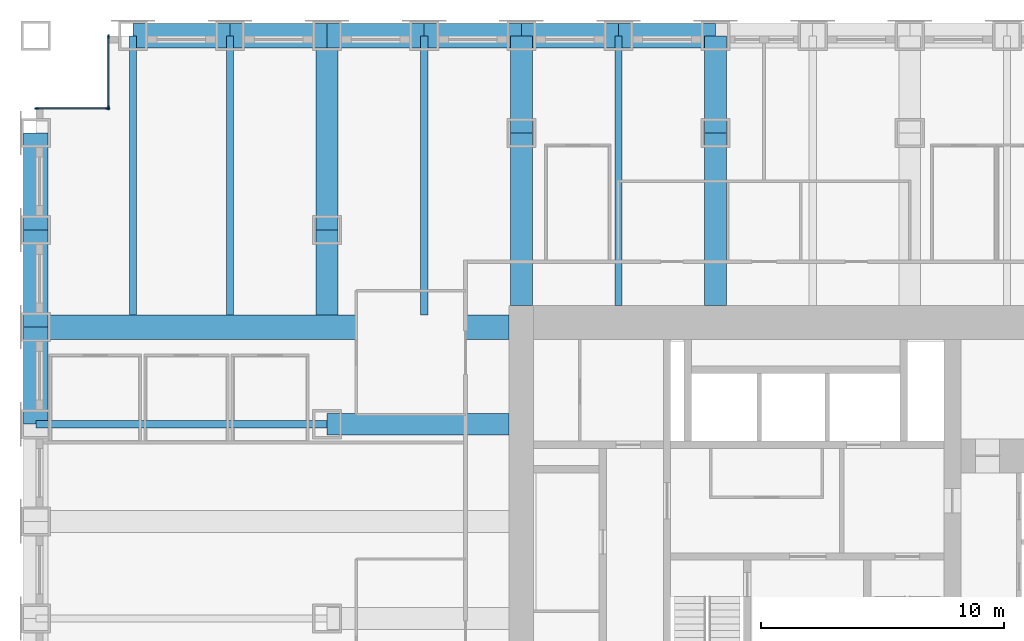
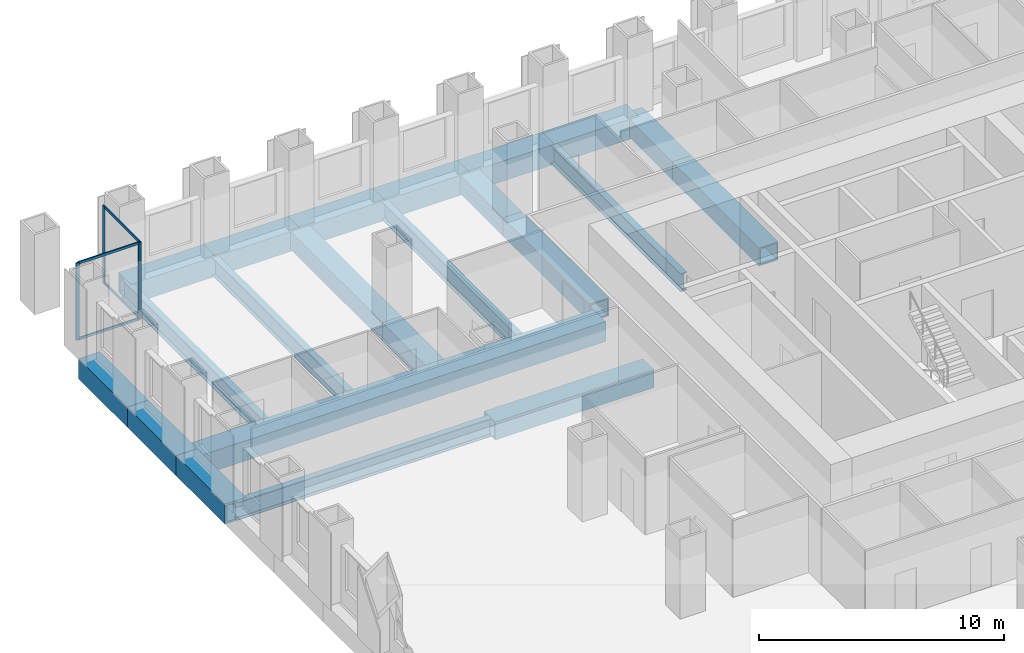
# One storey, part 5 of 14: 22 beams, 8 members, 2 elements without a shape of their own.
"""IFC4 building model written with IfcOpenShell, lengths in metres."""

from ifc_helpers import new_model, si_unit, direction, frame, origin, origin_2d, place, context, subcontext, project, spatial, rectangle, hollow_rectangle, i_section, extrude, material, material_profile, profile_set, type_object, element, aggregate, save


model = new_model("IFC4")

# Units and contexts
model_context = context("Model", 3, precision=1e-05, world=origin(), true_north=direction((0.0, 1.0)))
body_context = subcontext(model_context, "Body", "Model", "MODEL_VIEW")
ifc_project = project(units=[si_unit("LENGTHUNIT", "METRE"), si_unit("AREAUNIT", "SQUARE_METRE"), si_unit("VOLUMEUNIT", "CUBIC_METRE"), si_unit("PLANEANGLEUNIT", "RADIAN"), si_unit("MASSUNIT", "GRAM", prefix="KILO")], contexts=[model_context])

# Site, building, storey
site_placement = place(None, origin())
site = spatial("IfcSite", under=ifc_project, at=site_placement, CompositionType="ELEMENT")
building_placement = place(site_placement, origin())
building = spatial("IfcBuilding", under=site, at=building_placement, Name="Rimbunsela Tower", CompositionType="ELEMENT")
storey_placement = place(building_placement, frame((0.0, 0.0, 63.0)))
storey = spatial("IfcBuildingStorey", under=building, at=storey_placement, Name="L15", CompositionType="ELEMENT", Elevation=63.0)

# Beams
ifc_material_1 = material(Name="Steel BJ 55 (fy 410 MPa)", Category="steel")
ifc_material_profile_1 = material_profile(ifc_material_1, hollow_rectangle(XDim=1.0, YDim=1.0, WallThickness=0.10009765625, at=origin_2d()), Name="BOX 1000x1000x100")
ifc_profile_set_1 = profile_set([ifc_material_profile_1], Name="Steel BJ 55 (fy 410 MPa)")
beam_type_1 = type_object("IfcBeamType", Name="Beam BOX 1000x1000x100", PredefinedType="BEAM", material=ifc_profile_set_1)
for number, where, z_axis, x_axis, name in (
    (1, (-2.0, 32.0, -0.64990234375), (0.0, 1.0, 0.0), (-1.0, 0.0, 0.0), "Beam B3 L15"),
    (2, (-2.0, 36.0, -0.64990234375), (0.0, 1.0, 0.0), (-1.0, 0.0, 0.0), "Beam B3 L15"),
):
    element("IfcBeam", number, at=place(storey_placement, frame(where, z_axis=z_axis, x_axis=x_axis)), inside=storey, type_object=beam_type_1, Name=name, PredefinedType="BEAM", context=body_context, shape_type="SweptSolid", body=[
        extrude(hollow_rectangle(XDim=1.0, YDim=1.0, WallThickness=0.10009765625, at=origin_2d()), origin(), (0.0, 0.0, 1.0), 4.0),
    ])
beam_1_placement = place(storey_placement, frame((-2.0, 36.0, -0.64990234375), z_axis=(1.0, 0.0, 0.0), x_axis=(0.0, 1.0, 0.0)))
element("IfcBeam", 3, at=beam_1_placement, inside=storey, type_object=beam_type_1, Name="Beam B3 L15", PredefinedType="BEAM", context=body_context, shape_type="SweptSolid", body=[
    extrude(hollow_rectangle(XDim=1.0, YDim=1.0, WallThickness=0.10009765625, at=origin_2d()), origin(), (0.0, 0.0, 1.0), 19.5),
])
for number, where, z_axis, x_axis, name in (
    (4, (-2.0, 40.0, -0.64990234375), (0.0, 1.0, 0.0), (-1.0, 0.0, 0.0), "Beam B3 L15"),
    (5, (2.0, 48.0, -0.64990234375), (1.0, 0.0, 0.0), (0.0, 1.0, 0.0), "Beam B3 L15"),
    (6, (6.0, 48.0, -0.64990234375), (1.0, 0.0, 0.0), (0.0, 1.0, 0.0), "Beam B3 L15"),
    (7, (10.0, 48.0, -0.64990234375), (1.0, 0.0, 0.0), (0.0, 1.0, 0.0), "Beam B3 L15"),
    (8, (14.0, 48.0, -0.64990234375), (1.0, 0.0, 0.0), (0.0, 1.0, 0.0), "Beam B3 L15"),
    (9, (18.0, 48.0, -0.64990234375), (1.0, 0.0, 0.0), (0.0, 1.0, 0.0), "Beam B3 L15"),
    (10, (22.0, 48.0, -0.64990234375), (1.0, 0.0, 0.0), (0.0, 1.0, 0.0), "Beam B3 L15"),
):
    element("IfcBeam", number, at=place(storey_placement, frame(where, z_axis=z_axis, x_axis=x_axis)), inside=storey, type_object=beam_type_1, Name=name, PredefinedType="BEAM", context=body_context, shape_type="SweptSolid", body=[
        extrude(hollow_rectangle(XDim=1.0, YDim=1.0, WallThickness=0.10009765625, at=origin_2d()), origin(), (0.0, 0.0, 1.0), 4.0),
    ])
ifc_material_2 = material(Name="Steel BJ 55 (fy 410 MPa)", Category="steel")
ifc_material_profile_2 = material_profile(ifc_material_2, hollow_rectangle(XDim=0.89990234375, YDim=0.89990234375, WallThickness=0.06005859375, at=origin_2d()), Name="BOX 900x900x60")
ifc_profile_set_2 = profile_set([ifc_material_profile_2], Name="Steel BJ 55 (fy 410 MPa)")
beam_type_2 = type_object("IfcBeamType", Name="Beam BOX 900x900x60", PredefinedType="BEAM", material=ifc_profile_set_2)
beam_2_placement = place(storey_placement, frame((10.0, 32.0, -0.60009765625), z_axis=(1.0, 0.0, 0.0), x_axis=(0.0, 1.0, 0.0)))
element("IfcBeam", 11, at=beam_2_placement, inside=storey, type_object=beam_type_2, Name="Beam B1 L15", PredefinedType="BEAM", context=body_context, shape_type="SweptSolid", body=[
    extrude(hollow_rectangle(XDim=0.89990234375, YDim=0.89990234375, WallThickness=0.06005859375, at=origin_2d()), origin(), (0.0, 0.0, 1.0), 7.5),
])
beam_3_placement = place(storey_placement, frame((10.0, 36.5, -0.60009765625), z_axis=(0.0, 1.0, 0.0), x_axis=(-1.0, 0.0, 0.0)))
element("IfcBeam", 12, at=beam_3_placement, inside=storey, type_object=beam_type_2, Name="Beam B1 L15", PredefinedType="BEAM", context=body_context, shape_type="SweptSolid", body=[
    extrude(hollow_rectangle(XDim=0.89990234375, YDim=0.89990234375, WallThickness=0.06005859375, at=origin_2d()), origin(), (0.0, 0.0, 1.0), 3.5),
])
beam_4_placement = place(storey_placement, frame((10.0, 40.0, -0.60009765625), z_axis=(0.0, 1.0, 0.0), x_axis=(-1.0, 0.0, 0.0)))
element("IfcBeam", 13, at=beam_4_placement, inside=storey, type_object=beam_type_2, Name="Beam B1 L15", PredefinedType="BEAM", context=body_context, shape_type="SweptSolid", body=[
    extrude(hollow_rectangle(XDim=0.89990234375, YDim=0.89990234375, WallThickness=0.06005859375, at=origin_2d()), origin(), (0.0, 0.0, 1.0), 8.0),
])
beam_5_placement = place(storey_placement, frame((18.0, 36.89990234375, -0.60009765625), z_axis=(0.0, 1.0, 0.0), x_axis=(-1.0, 0.0, 0.0)))
element("IfcBeam", 14, at=beam_5_placement, inside=storey, type_object=beam_type_2, Name="Beam B1 L15", PredefinedType="BEAM", context=body_context, shape_type="SweptSolid", body=[
    extrude(hollow_rectangle(XDim=0.89990234375, YDim=0.89990234375, WallThickness=0.06005859375, at=origin_2d()), origin(), (0.0, 0.0, 1.0), 7.10009765625),
])
beam_6_placement = place(storey_placement, frame((18.0, 44.0, -0.60009765625), z_axis=(0.0, 1.0, 0.0), x_axis=(-1.0, 0.0, 0.0)))
element("IfcBeam", 15, at=beam_6_placement, inside=storey, type_object=beam_type_2, Name="Beam B1 L15", PredefinedType="BEAM", context=body_context, shape_type="SweptSolid", body=[
    extrude(hollow_rectangle(XDim=0.89990234375, YDim=0.89990234375, WallThickness=0.06005859375, at=origin_2d()), origin(), (0.0, 0.0, 1.0), 4.0),
])
beam_7_placement = place(storey_placement, frame((26.0, 36.89990234375, -0.60009765625), z_axis=(0.0, 1.0, 0.0), x_axis=(-1.0, 0.0, 0.0)))
element("IfcBeam", 16, at=beam_7_placement, inside=storey, type_object=beam_type_2, Name="Beam B1 L15", PredefinedType="BEAM", context=body_context, shape_type="SweptSolid", body=[
    extrude(hollow_rectangle(XDim=0.89990234375, YDim=0.89990234375, WallThickness=0.06005859375, at=origin_2d()), origin(), (0.0, 0.0, 1.0), 7.10009765625),
])
beam_8_placement = place(storey_placement, frame((26.0, 44.0, -0.60009765625), z_axis=(0.0, 1.0, 0.0), x_axis=(-1.0, 0.0, 0.0)))
element("IfcBeam", 17, at=beam_8_placement, inside=storey, type_object=beam_type_2, Name="Beam B1 L15", PredefinedType="BEAM", context=body_context, shape_type="SweptSolid", body=[
    extrude(hollow_rectangle(XDim=0.89990234375, YDim=0.89990234375, WallThickness=0.06005859375, at=origin_2d()), origin(), (0.0, 0.0, 1.0), 4.0),
])
ifc_material_3 = material(Name="Steel BJ 55 (fy 410 MPa)", Category="steel")
ifc_material_profile_3 = material_profile(ifc_material_3, i_section(OverallWidth=0.300048828125, OverallDepth=0.89990234375, WebThickness=0.01611328125, FlangeThickness=0.028076171875, FilletRadius=0.028076171875, at=origin_2d()), Name="H 900x300x16x28")
ifc_profile_set_3 = profile_set([ifc_material_profile_3], Name="Steel BJ 55 (fy 410 MPa)")
beam_type_3 = type_object("IfcBeamType", Name="Beam H 900x300x16x28", PredefinedType="BEAM", material=ifc_profile_set_3)
beam_9_placement = place(storey_placement, frame((-2.0, 32.0, -0.60009765625), z_axis=(1.0, 0.0, 0.0), x_axis=(0.0, 1.0, 0.0)))
element("IfcBeam", 18, at=beam_9_placement, inside=storey, type_object=beam_type_3, Name="Beam B2 L15", PredefinedType="BEAM", context=body_context, shape_type="SweptSolid", body=[
    extrude(i_section(OverallWidth=0.300048828125, OverallDepth=0.89990234375, WebThickness=0.01611328125, FlangeThickness=0.028076171875, FilletRadius=0.028076171875, at=origin_2d()), origin(), (0.0, 0.0, 1.0), 12.0),
])
for number, where, z_axis, x_axis, name in (
    (19, (2.0, 36.5, -0.60009765625), (0.0, 1.0, 0.0), (-1.0, 0.0, 0.0), "Beam B2 L15"),
    (20, (6.0, 36.5, -0.60009765625), (0.0, 1.0, 0.0), (-1.0, 0.0, 0.0), "Beam B2 L15"),
    (21, (14.0, 36.5, -0.60009765625), (0.0, 1.0, 0.0), (-1.0, 0.0, 0.0), "Beam B2 L15"),
):
    element("IfcBeam", number, at=place(storey_placement, frame(where, z_axis=z_axis, x_axis=x_axis)), inside=storey, type_object=beam_type_3, Name=name, PredefinedType="BEAM", context=body_context, shape_type="SweptSolid", body=[
        extrude(i_section(OverallWidth=0.300048828125, OverallDepth=0.89990234375, WebThickness=0.01611328125, FlangeThickness=0.028076171875, FilletRadius=0.028076171875, at=origin_2d()), origin(), (0.0, 0.0, 1.0), 11.5),
    ])
beam_10_placement = place(storey_placement, frame((22.0, 36.89990234375, -0.60009765625), z_axis=(0.0, 1.0, 0.0), x_axis=(-1.0, 0.0, 0.0)))
element("IfcBeam", 22, at=beam_10_placement, inside=storey, type_object=beam_type_3, Name="Beam B2 L15", PredefinedType="BEAM", context=body_context, shape_type="SweptSolid", body=[
    extrude(i_section(OverallWidth=0.300048828125, OverallDepth=0.89990234375, WebThickness=0.01611328125, FlangeThickness=0.028076171875, FilletRadius=0.028076171875, at=origin_2d()), origin(), (0.0, 0.0, 1.0), 11.10009765625),
])

# Curtain wall, members
ifc_material_4 = material(Name="Aluminium curtain wall", Category="aluminium")
curtain_wall_type = type_object("IfcCurtainWallType", Name="Corner glazing", PredefinedType="USERDEFINED", material=ifc_material_4)
curtain_wall_1_placement = place(storey_placement, origin())
curtain_wall_1 = element("IfcCurtainWall", 23, at=curtain_wall_1_placement, inside=storey, type_object=curtain_wall_type, Name="Corner glazing L15", ObjectType="CORNER GLAZING", PredefinedType="USERDEFINED")
ifc_material_5 = material(Name="Aluminium mullion", Category="aluminium")
ifc_material_profile_4 = material_profile(ifc_material_5, rectangle(XDim=0.06005859375, YDim=0.159912109375, at=origin_2d()), Name="Mullion 60x160")
ifc_profile_set_4 = profile_set([ifc_material_profile_4], Name="Aluminium mullion")
member_type_1 = type_object("IfcMemberType", Name="Curtain wall mullion 60x160", PredefinedType="MULLION", material=ifc_profile_set_4)
member_1_placement = place(storey_placement, frame((1.0, 47.969970703125, 0.0), z_axis=(0.0, 0.0, 1.0), x_axis=(1.0, 0.0, 0.0)))
member_1 = element("IfcMember", 24, at=member_1_placement, type_object=member_type_1, Name="CW5 mullion 1", PredefinedType="MULLION", context=body_context, shape_type="SweptSolid", body=[
    extrude(rectangle(XDim=0.06005859375, YDim=0.159912109375, at=origin_2d()), origin(), (0.0, 0.0, 1.0), 3.85009765625),
])
member_2_placement = place(storey_placement, frame((1.0, 45.030029296875, 0.0), z_axis=(0.0, 0.0, 1.0), x_axis=(1.0, 0.0, 0.0)))
member_2 = element("IfcMember", 25, at=member_2_placement, type_object=member_type_1, Name="CW5 mullion 2", PredefinedType="MULLION", context=body_context, shape_type="SweptSolid", body=[
    extrude(rectangle(XDim=0.06005859375, YDim=0.159912109375, at=origin_2d()), origin(), (0.0, 0.0, 1.0), 3.85009765625),
])

curtain_wall_2_placement = place(storey_placement, origin())
curtain_wall_2 = element("IfcCurtainWall", 26, at=curtain_wall_2_placement, inside=storey, type_object=curtain_wall_type, Name="Corner glazing L15", ObjectType="CORNER GLAZING", PredefinedType="USERDEFINED")
member_3_placement = place(storey_placement, frame((0.969970703125, 45.0, 0.0), z_axis=(0.0, 0.0, 1.0), x_axis=(0.0, -1.0, 0.0)))
member_3 = element("IfcMember", 27, at=member_3_placement, type_object=member_type_1, Name="CW5 mullion 1", PredefinedType="MULLION", context=body_context, shape_type="SweptSolid", body=[
    extrude(rectangle(XDim=0.06005859375, YDim=0.159912109375, at=origin_2d()), origin(), (0.0, 0.0, 1.0), 3.85009765625),
])
member_4_placement = place(storey_placement, frame((-1.969970703125, 45.0, 0.0), z_axis=(0.0, 0.0, 1.0), x_axis=(0.0, -1.0, 0.0)))
member_4 = element("IfcMember", 28, at=member_4_placement, type_object=member_type_1, Name="CW5 mullion 2", PredefinedType="MULLION", context=body_context, shape_type="SweptSolid", body=[
    extrude(rectangle(XDim=0.06005859375, YDim=0.159912109375, at=origin_2d()), origin(), (0.0, 0.0, 1.0), 3.85009765625),
])

# Member
ifc_material_6 = material(Name="Aluminium transom", Category="aluminium")
ifc_material_profile_5 = material_profile(ifc_material_6, rectangle(XDim=0.06005859375, YDim=0.1201171875, at=origin_2d()), Name="Transom 60x120")
ifc_profile_set_5 = profile_set([ifc_material_profile_5], Name="Aluminium transom")
member_type_2 = type_object("IfcMemberType", Name="Curtain wall transom 60x120", PredefinedType="USERDEFINED", material=ifc_profile_set_5)
member_5_placement = place(storey_placement, frame((1.0, 47.93994140625, 0.030029296875), z_axis=(0.0, -1.0, 0.0), x_axis=(1.0, 0.0, 0.0)))
member_5 = element("IfcMember", 29, at=member_5_placement, type_object=member_type_2, Name="CW5 transom 1.1", ObjectType="TRANSOM", PredefinedType="USERDEFINED", context=body_context, shape_type="SweptSolid", body=[
    extrude(rectangle(XDim=0.06005859375, YDim=0.1201171875, at=origin_2d()), origin(), (0.0, 0.0, 1.0), 2.8798828125),
])

member_6_placement = place(storey_placement, frame((1.0, 47.93994140625, 3.820068359375), z_axis=(0.0, -1.0, 0.0), x_axis=(1.0, 0.0, 0.0)))
member_6 = element("IfcMember", 30, at=member_6_placement, type_object=member_type_2, Name="CW5 transom 1.2", ObjectType="TRANSOM", PredefinedType="USERDEFINED", context=body_context, shape_type="SweptSolid", body=[
    extrude(rectangle(XDim=0.06005859375, YDim=0.1201171875, at=origin_2d()), origin(), (0.0, 0.0, 1.0), 2.8798828125),
])

aggregate(curtain_wall_1, [member_1, member_2, member_5, member_6])

member_7_placement = place(storey_placement, frame((0.93994140625, 45.0, 0.030029296875), z_axis=(-1.0, 0.0, 0.0), x_axis=(0.0, -1.0, 0.0)))
member_7 = element("IfcMember", 31, at=member_7_placement, type_object=member_type_2, Name="CW5 transom 1.1", ObjectType="TRANSOM", PredefinedType="USERDEFINED", context=body_context, shape_type="SweptSolid", body=[
    extrude(rectangle(XDim=0.06005859375, YDim=0.1201171875, at=origin_2d()), origin(), (0.0, 0.0, 1.0), 2.8798828125),
])

member_8_placement = place(storey_placement, frame((0.93994140625, 45.0, 3.820068359375), z_axis=(-1.0, 0.0, 0.0), x_axis=(0.0, -1.0, 0.0)))
member_8 = element("IfcMember", 32, at=member_8_placement, type_object=member_type_2, Name="CW5 transom 1.2", ObjectType="TRANSOM", PredefinedType="USERDEFINED", context=body_context, shape_type="SweptSolid", body=[
    extrude(rectangle(XDim=0.06005859375, YDim=0.1201171875, at=origin_2d()), origin(), (0.0, 0.0, 1.0), 2.8798828125),
])

aggregate(curtain_wall_2, [member_3, member_4, member_7, member_8])

save(model, "model.ifc")
